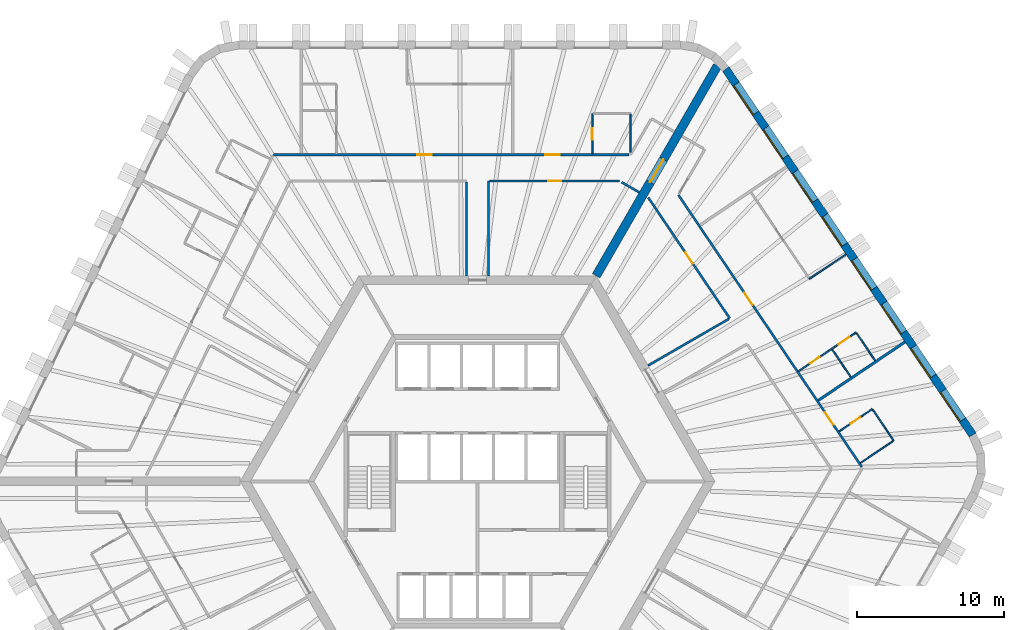
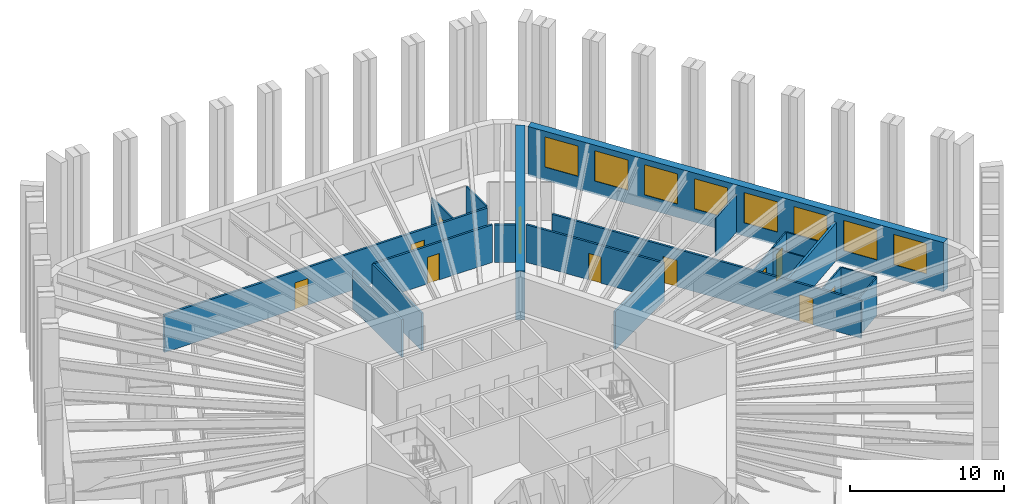
# One storey, part 9 of 12: 21 walls, 11 doors, 8 windows, 19 openings.
"""IFC4 building model written with IfcOpenShell, lengths in metres."""

from ifc_helpers import new_model, si_unit, direction, frame, frame_2d, origin, place, context, subcontext, project, spatial, polyline, rectangle, outline, extrude, material, layer, layer_set, type_object, element, fill, save


model = new_model("IFC4")

# Units and contexts
model_context = context("Model", 3, precision=1e-05, world=origin(), true_north=direction((0.0, 1.0)))
body_context = subcontext(model_context, "Body", "Model", "MODEL_VIEW")
ifc_project = project(units=[si_unit("LENGTHUNIT", "METRE"), si_unit("AREAUNIT", "SQUARE_METRE"), si_unit("VOLUMEUNIT", "CUBIC_METRE"), si_unit("PLANEANGLEUNIT", "RADIAN"), si_unit("MASSUNIT", "GRAM", prefix="KILO")], contexts=[model_context])

# Site, building, storey
site_placement = place(None, origin())
site = spatial("IfcSite", under=ifc_project, at=site_placement, CompositionType="ELEMENT")
building_placement = place(site_placement, origin())
building = spatial("IfcBuilding", under=site, at=building_placement, Name="Tarnside Tower", CompositionType="ELEMENT")
storey_placement = place(building_placement, frame((0.0, 0.0, 99.89990234375)))
storey = spatial("IfcBuildingStorey", under=building, at=storey_placement, Name="L22", CompositionType="ELEMENT", Elevation=99.89990234375)

# Wall, opening, door
ifc_material_1 = material(Name="Gypsum board partition on steel studs", Category="steel")
ifc_layer_1 = layer(ifc_material_1, 0.10009765625)
ifc_layer_set_1 = layer_set([ifc_layer_1], Name="Bathroom wall 100")
wall_type_1 = type_object("IfcWallType", Name="Bathroom wall 100", PredefinedType="PARTITIONING", material=ifc_layer_set_1)
wall_1_placement = place(storey_placement, frame((7.8212890625, 22.324951171875, 0.0), z_axis=(0.0, 0.0, 1.0), x_axis=(0.0, 1.0, 0.0)))
wall_1 = element("IfcWall", 1, at=wall_1_placement, inside=storey, type_object=wall_type_1, Name="Bathroom wall 07076", PredefinedType="PARTITIONING", context=body_context, shape_type="SweptSolid", body=[
    extrude(rectangle(XDim=2.72509765625, YDim=0.10009765625, at=frame_2d((1.362548828125, 0.0))), origin(), (0.0, 0.0, 1.0), 2.98779296875),
])
opening_1_placement = place(wall_1_placement, frame((0.925048828125, 0.0, 0.0)))
opening_1 = element("IfcOpeningElement", 2, at=opening_1_placement, cuts=wall_1, Name="Opening D-B1", PredefinedType="OPENING", context=body_context, shape_type="SweptSolid", body=[
    extrude(rectangle(XDim=0.800048828125, YDim=2.10009765625, at=frame_2d((0.39990234375, 1.050048828125))), frame((0.0, 0.06005859375, 0.0), z_axis=(0.0, -1.0, 0.0), x_axis=(1.0, 0.0, 0.0)), (0.0, 0.0, 1.0), 0.1201171875),
])
ifc_material_2 = material(Name="Timber door leaf", Category="wood")
door_type_1 = type_object("IfcDoorType", Name="Bathroom door 800", OperationType="NOTDEFINED", PredefinedType="DOOR", material=ifc_material_2)
door_1_placement = place(opening_1_placement, origin())
door_1 = element("IfcDoor", 3, at=door_1_placement, inside=storey, type_object=door_type_1, Name="Bathroom door 07002", OperationType="SINGLE_SWING_RIGHT", OverallHeight=2.10009765625, OverallWidth=0.800048828125, PredefinedType="DOOR", context=body_context, shape_type="SweptSolid", body=[
    extrude(rectangle(XDim=0.800048828125, YDim=2.10009765625, at=frame_2d((0.39990234375, 1.050048828125))), frame((0.0, 0.02490234375, 0.0), z_axis=(0.0, -1.0, 0.0), x_axis=(1.0, 0.0, 0.0)), (0.0, 0.0, 1.0), 0.050048828125),
])
fill(opening_1, door_1)

# Wall
wall_2_placement = place(storey_placement, frame((10.421142578125, 25.0, 0.0), z_axis=(0.0, 0.0, 1.0), x_axis=(0.0, -1.0, 0.0)))
element("IfcWall", 4, at=wall_2_placement, inside=storey, type_object=wall_type_1, Name="Bathroom wall 07078", PredefinedType="PARTITIONING", context=body_context, shape_type="SweptSolid", body=[
    extrude(rectangle(XDim=2.60009765625, YDim=0.10009765625, at=frame_2d((1.300048828125, 0.0))), origin(), (0.0, 0.0, 1.0), 2.98779296875),
])

# Wall, opening, door
wall_3_placement = place(storey_placement, frame((24.63330078125, 3.4033203125, 0.0), z_axis=(0.0, 0.0, 1.0), x_axis=(0.829047014003, 0.559178905694, 0.0)))
wall_3 = element("IfcWall", 5, at=wall_3_placement, inside=storey, type_object=wall_type_1, Name="Bathroom wall 07145", PredefinedType="PARTITIONING", context=body_context, shape_type="SweptSolid", body=[
    extrude(rectangle(XDim=2.724853515625, YDim=0.10009765625, at=frame_2d((1.3623046875, 0.0))), origin(), (0.0, 0.0, 1.0), 2.98779296875),
])
opening_2_placement = place(wall_3_placement, frame((0.925048828125, 0.0, 0.0)))
opening_2 = element("IfcOpeningElement", 6, at=opening_2_placement, cuts=wall_3, Name="Opening D-B1", PredefinedType="OPENING", context=body_context, shape_type="SweptSolid", body=[
    extrude(rectangle(XDim=0.800048828125, YDim=2.10009765625, at=frame_2d((0.39990234375, 1.050048828125))), frame((0.0, 0.06005859375, 0.0), z_axis=(0.0, -1.0, 0.0), x_axis=(1.0, 0.0, 0.0)), (0.0, 0.0, 1.0), 0.1201171875),
])
door_2_placement = place(opening_2_placement, origin())
door_2 = element("IfcDoor", 7, at=door_2_placement, inside=storey, type_object=door_type_1, Name="Bathroom door 07036", OperationType="SINGLE_SWING_RIGHT", OverallHeight=2.10009765625, OverallWidth=0.800048828125, PredefinedType="DOOR", context=body_context, shape_type="SweptSolid", body=[
    extrude(rectangle(XDim=0.800048828125, YDim=2.10009765625, at=frame_2d((0.39990234375, 1.050048828125))), frame((0.0, 0.02490234375, 0.0), z_axis=(0.0, -1.0, 0.0), x_axis=(1.0, 0.0, 0.0)), (0.0, 0.0, 1.0), 0.050048828125),
])
fill(opening_2, door_2)

# Walls
wall_4_placement = place(storey_placement, frame((26.92041015625, 4.885498046875, 0.0), z_axis=(0.0, 0.0, 1.0), x_axis=(0.559221247909, -0.829018453285, 0.0)))
element("IfcWall", 8, at=wall_4_placement, inside=storey, type_object=wall_type_1, Name="Bathroom wall 07146", PredefinedType="PARTITIONING", context=body_context, shape_type="SweptSolid", body=[
    extrude(rectangle(XDim=2.550048828125, YDim=0.10009765625, at=frame_2d((1.27490234375, 0.0))), origin(), (0.0, 0.0, 1.0), 2.98779296875),
])
wall_5_placement = place(storey_placement, frame((28.304931640625, 2.74365234375, 0.0), z_axis=(0.0, 0.0, 1.0), x_axis=(-0.82904753069, -0.559178139645, 0.0)))
element("IfcWall", 9, at=wall_5_placement, inside=storey, type_object=wall_type_1, Name="Bathroom wall 07147", PredefinedType="PARTITIONING", context=body_context, shape_type="SweptSolid", body=[
    extrude(rectangle(XDim=2.675048828125, YDim=0.10009765625, at=frame_2d((1.33740234375, 0.0))), origin(), (0.0, 0.0, 1.0), 2.98779296875),
])

# Wall, opening, door
wall_6_placement = place(storey_placement, frame((21.86962890625, 7.50048828125, 0.0), z_axis=(0.0, 0.0, 1.0), x_axis=(0.829005477618, 0.559240483226, 0.0)))
wall_6 = element("IfcWall", 10, at=wall_6_placement, inside=storey, type_object=wall_type_1, Name="Bathroom wall 07151", PredefinedType="PARTITIONING", context=body_context, shape_type="SweptSolid", body=[
    extrude(rectangle(XDim=2.72509765625, YDim=0.10009765625, at=frame_2d((1.362548828125, 0.0))), origin(), (0.0, 0.0, 1.0), 2.98779296875),
])
opening_3_placement = place(wall_6_placement, frame((0.925048828125, 0.0, 0.0)))
opening_3 = element("IfcOpeningElement", 11, at=opening_3_placement, cuts=wall_6, Name="Opening D-B1", PredefinedType="OPENING", context=body_context, shape_type="SweptSolid", body=[
    extrude(rectangle(XDim=0.800048828125, YDim=2.10009765625, at=frame_2d((0.39990234375, 1.050048828125))), frame((0.0, 0.06005859375, 0.0), z_axis=(0.0, -1.0, 0.0), x_axis=(1.0, 0.0, 0.0)), (0.0, 0.0, 1.0), 0.1201171875),
])
door_3_placement = place(opening_3_placement, origin())
door_3 = element("IfcDoor", 12, at=door_3_placement, inside=storey, type_object=door_type_1, Name="Bathroom door 07038", OperationType="SINGLE_SWING_RIGHT", OverallHeight=2.10009765625, OverallWidth=0.800048828125, PredefinedType="DOOR", context=body_context, shape_type="SweptSolid", body=[
    extrude(rectangle(XDim=0.800048828125, YDim=2.10009765625, at=frame_2d((0.39990234375, 1.050048828125))), frame((0.0, 0.02490234375, 0.0), z_axis=(0.0, -1.0, 0.0), x_axis=(1.0, 0.0, 0.0)), (0.0, 0.0, 1.0), 0.050048828125),
])
fill(opening_3, door_3)

# Wall
wall_7_placement = place(storey_placement, frame((25.42041015625, 7.109375, 0.0), z_axis=(0.0, 0.0, 1.0), x_axis=(-0.559179660023, 0.829046505219, 0.0)))
element("IfcWall", 13, at=wall_7_placement, inside=storey, type_object=wall_type_1, Name="Bathroom wall 07157", PredefinedType="PARTITIONING", context=body_context, shape_type="SweptSolid", body=[
    extrude(rectangle(XDim=2.259765625, YDim=0.10009765625, at=frame_2d((1.1298828125, 0.0))), origin(), (0.0, 0.0, 1.0), 2.98779296875),
])

# Wall, opening, door
ifc_material_3 = material(Name="Concrete C80/95", Category="concrete")
ifc_layer_2 = layer(ifc_material_3, 0.60009765625)
ifc_layer_set_2 = layer_set([ifc_layer_2], Name="Core wall Z1 600 C80/95")
wall_type_2 = type_object("IfcWallType", Name="Core wall Z1 600 C80/95", PredefinedType="SHEAR", material=ifc_layer_set_2)
wall_8_placement = place(storey_placement, frame((8.0830078125, 14.0, -0.14990234375), z_axis=(0.0, 0.0, 1.0), x_axis=(0.499997680643, 0.866026742862, 0.0)))
wall_8 = element("IfcWall", 14, at=wall_8_placement, inside=storey, type_object=wall_type_2, Name="L22 spine wall 1", PredefinedType="SHEAR", context=body_context, shape_type="SweptSolid", body=[
    extrude(rectangle(XDim=16.5087890625, YDim=0.60009765625, at=frame_2d((8.25439453125, 0.0))), origin(), (0.0, 0.0, 1.0), 3.89990234375),
])
opening_4_placement = place(wall_8_placement, frame((7.3544921875, 0.0, 0.14990234375)))
opening_4 = element("IfcOpeningElement", 15, at=opening_4_placement, cuts=wall_8, Name="Opening CD-SPN", PredefinedType="OPENING", context=body_context, shape_type="SweptSolid", body=[
    extrude(rectangle(XDim=1.800048828125, YDim=2.39990234375, at=frame_2d((0.89990234375, 1.199951171875))), frame((0.0, 0.31005859375, 0.0), z_axis=(0.0, -1.0, 0.0), x_axis=(1.0, 0.0, 0.0)), (0.0, 0.0, 1.0), 0.6201171875),
])
ifc_material_4 = material(Name="Steel fire door", Category="steel")
door_type_2 = type_object("IfcDoorType", Name="Spine passage double door FD60 1800x2400", OperationType="NOTDEFINED", PredefinedType="DOOR", material=ifc_material_4)
door_4_placement = place(opening_4_placement, origin())
door_4 = element("IfcDoor", 16, at=door_4_placement, inside=storey, type_object=door_type_2, Name="L22 spine passage door 1", OperationType="DOUBLE_DOOR_SINGLE_SWING", OverallHeight=2.39990234375, OverallWidth=1.800048828125, PredefinedType="DOOR", context=body_context, shape_type="SweptSolid", body=[
    extrude(rectangle(XDim=1.800048828125, YDim=2.39990234375, at=frame_2d((0.89990234375, 1.199951171875))), frame((0.0, 0.02490234375, 0.0), z_axis=(0.0, -1.0, 0.0), x_axis=(1.0, 0.0, 0.0)), (0.0, 0.0, 1.0), 0.050048828125),
])
fill(opening_4, door_4)

# Wall, openings, doors
ifc_layer_3 = layer(ifc_material_1, 0.14990234375)
ifc_layer_set_3 = layer_set([ifc_layer_3], Name="Corridor wall 150 EI 60")
wall_type_3 = type_object("IfcWallType", Name="Corridor wall 150 EI 60", PredefinedType="PARTITIONING", material=ifc_layer_set_3)
wall_9_placement = place(storey_placement, frame((10.33447265625, 22.25, 0.0), z_axis=(0.0, 0.0, 1.0), x_axis=(-1.0, 0.0, 0.0)))
wall_9 = element("IfcWall", 17, at=wall_9_placement, inside=storey, type_object=wall_type_3, Name="Corridor wall 07001", PredefinedType="PARTITIONING", context=body_context, shape_type="SweptSolid", body=[
    extrude(rectangle(XDim=24.23779296875, YDim=0.14990234375, at=frame_2d((12.118896484375, 0.0))), origin(), (0.0, 0.0, 1.0), 2.98779296875),
])
opening_5_placement = place(wall_9_placement, frame((4.7294921875, 0.0, 0.0)))
opening_5 = element("IfcOpeningElement", 18, at=opening_5_placement, cuts=wall_9, Name="Opening D-E1", PredefinedType="OPENING", context=body_context, shape_type="SweptSolid", body=[
    extrude(rectangle(XDim=1.0, YDim=2.10009765625, at=frame_2d((0.5, 1.050048828125))), frame((0.0, 0.0849609375, 0.0), z_axis=(0.0, -1.0, 0.0), x_axis=(1.0, 0.0, 0.0)), (0.0, 0.0, 1.0), 0.169921875),
])
opening_6_placement = place(wall_9_placement, frame((13.445556640625, 0.0, 0.0)))
opening_6 = element("IfcOpeningElement", 19, at=opening_6_placement, cuts=wall_9, Name="Opening D-E1", PredefinedType="OPENING", context=body_context, shape_type="SweptSolid", body=[
    extrude(rectangle(XDim=1.0, YDim=2.10009765625, at=frame_2d((0.5, 1.050048828125))), frame((0.0, 0.0849609375, 0.0), z_axis=(0.0, -1.0, 0.0), x_axis=(1.0, 0.0, 0.0)), (0.0, 0.0, 1.0), 0.169921875),
])
door_type_3 = type_object("IfcDoorType", Name="Unit entrance door 1000 FD30S", OperationType="NOTDEFINED", PredefinedType="DOOR", material=ifc_material_2)
door_5_placement = place(opening_5_placement, origin())
door_5 = element("IfcDoor", 20, at=door_5_placement, inside=storey, type_object=door_type_3, Name="Unit door 07001", OperationType="SINGLE_SWING_LEFT", OverallHeight=2.10009765625, OverallWidth=1.0, PredefinedType="DOOR", context=body_context, shape_type="SweptSolid", body=[
    extrude(rectangle(XDim=1.0, YDim=2.10009765625, at=frame_2d((0.5, 1.050048828125))), frame((0.0, 0.02490234375, 0.0), z_axis=(0.0, -1.0, 0.0), x_axis=(1.0, 0.0, 0.0)), (0.0, 0.0, 1.0), 0.050048828125),
])
fill(opening_5, door_5)
door_6_placement = place(opening_6_placement, origin())
door_6 = element("IfcDoor", 21, at=door_6_placement, inside=storey, type_object=door_type_3, Name="Unit door 07003", OperationType="SINGLE_SWING_LEFT", OverallHeight=2.10009765625, OverallWidth=1.0, PredefinedType="DOOR", context=body_context, shape_type="SweptSolid", body=[
    extrude(rectangle(XDim=1.0, YDim=2.10009765625, at=frame_2d((0.5, 1.050048828125))), frame((0.0, 0.02490234375, 0.0), z_axis=(0.0, -1.0, 0.0), x_axis=(1.0, 0.0, 0.0)), (0.0, 0.0, 1.0), 0.050048828125),
])
fill(opening_6, door_6)

# Walls
wall_10_placement = place(storey_placement, frame((-0.75, 20.375, 0.0), z_axis=(0.0, 0.0, 1.0), x_axis=(0.0, -1.0, 0.0)))
element("IfcWall", 22, at=wall_10_placement, inside=storey, type_object=wall_type_3, Name="Corridor wall 07021", PredefinedType="PARTITIONING", context=body_context, shape_type="SweptSolid", body=[
    extrude(rectangle(XDim=6.375, YDim=0.14990234375, at=frame_2d((3.1875, 0.0))), origin(), (0.0, 0.0, 1.0), 2.98779296875),
])
wall_11_placement = place(storey_placement, frame((0.75, 14.0, 0.0), z_axis=(0.0, 0.0, 1.0), x_axis=(0.0, 1.0, 0.0)))
element("IfcWall", 23, at=wall_11_placement, inside=storey, type_object=wall_type_3, Name="Corridor wall 07022", PredefinedType="PARTITIONING", context=body_context, shape_type="SweptSolid", body=[
    extrude(rectangle(XDim=6.449951171875, YDim=0.14990234375, at=frame_2d((3.22509765625, 0.0))), origin(), (0.0, 0.0, 1.0), 2.98779296875),
])

# Wall, opening, door
wall_12_placement = place(storey_placement, frame((0.824951171875, 20.449951171875, 0.0), z_axis=(0.0, 0.0, 1.0), x_axis=(1.0, 0.0, 0.0)))
wall_12 = element("IfcWall", 24, at=wall_12_placement, inside=storey, type_object=wall_type_3, Name="Corridor wall 07023", PredefinedType="PARTITIONING", context=body_context, shape_type="SweptSolid", body=[
    extrude(rectangle(XDim=8.860107421875, YDim=0.14990234375, at=frame_2d((4.43017578125, 0.0))), origin(), (0.0, 0.0, 1.0), 2.98779296875),
])
opening_7_placement = place(wall_12_placement, frame((3.97998046875, 0.0, 0.0)))
opening_7 = element("IfcOpeningElement", 25, at=opening_7_placement, cuts=wall_12, Name="Opening D-S1", PredefinedType="OPENING", context=body_context, shape_type="SweptSolid", body=[
    extrude(rectangle(XDim=0.89990234375, YDim=2.10009765625, at=frame_2d((0.449951171875, 1.050048828125))), frame((0.0, 0.0849609375, 0.0), z_axis=(0.0, -1.0, 0.0), x_axis=(1.0, 0.0, 0.0)), (0.0, 0.0, 1.0), 0.169921875),
])
door_type_4 = type_object("IfcDoorType", Name="Service room door 900 FD30S", OperationType="NOTDEFINED", PredefinedType="DOOR", material=ifc_material_2)
door_7_placement = place(opening_7_placement, origin())
door_7 = element("IfcDoor", 26, at=door_7_placement, inside=storey, type_object=door_type_4, Name="Service door 07043", OperationType="SINGLE_SWING_LEFT", OverallHeight=2.10009765625, OverallWidth=0.89990234375, PredefinedType="DOOR", context=body_context, shape_type="SweptSolid", body=[
    extrude(rectangle(XDim=0.89990234375, YDim=2.10009765625, at=frame_2d((0.449951171875, 1.050048828125))), frame((0.0, 0.02490234375, 0.0), z_axis=(0.0, -1.0, 0.0), x_axis=(1.0, 0.0, 0.0)), (0.0, 0.0, 1.0), 0.050048828125),
])
fill(opening_7, door_7)

# Wall
wall_13_placement = place(storey_placement, frame((9.81494140625, 20.375, 0.0), z_axis=(0.0, 0.0, 1.0), x_axis=(0.86600392025, -0.500037208726, 0.0)))
element("IfcWall", 27, at=wall_13_placement, inside=storey, type_object=wall_type_3, Name="Corridor wall 07024", PredefinedType="PARTITIONING", context=body_context, shape_type="SweptSolid", body=[
    extrude(rectangle(XDim=1.3876953125, YDim=0.14990234375, at=frame_2d((0.69384765625, 0.0))), origin(), (0.0, 0.0, 1.0), 2.98779296875),
])

# Wall, openings, doors
wall_14_placement = place(storey_placement, frame((26.174072265625, 0.98486328125, 0.0), z_axis=(0.0, 0.0, 1.0), x_axis=(-0.559192163771, 0.829038071488, 0.0)))
wall_14 = element("IfcWall", 28, at=wall_14_placement, inside=storey, type_object=wall_type_3, Name="Corridor wall 07058", PredefinedType="PARTITIONING", context=body_context, shape_type="SweptSolid", body=[
    extrude(rectangle(XDim=22.33544921875, YDim=0.14990234375, at=frame_2d((11.167724609375, 0.0))), origin(), (0.0, 0.0, 1.0), 2.98779296875),
])
opening_8_placement = place(wall_14_placement, frame((3.462646484375, 0.0, 0.0)))
opening_8 = element("IfcOpeningElement", 29, at=opening_8_placement, cuts=wall_14, Name="Opening D-E1", PredefinedType="OPENING", context=body_context, shape_type="SweptSolid", body=[
    extrude(rectangle(XDim=1.0, YDim=2.10009765625, at=frame_2d((0.5, 1.050048828125))), frame((0.0, 0.0849609375, 0.0), z_axis=(0.0, -1.0, 0.0), x_axis=(1.0, 0.0, 0.0)), (0.0, 0.0, 1.0), 0.169921875),
])
opening_9_placement = place(wall_14_placement, frame((13.308837890625, 0.0, 0.0)))
opening_9 = element("IfcOpeningElement", 30, at=opening_9_placement, cuts=wall_14, Name="Opening D-E1", PredefinedType="OPENING", context=body_context, shape_type="SweptSolid", body=[
    extrude(rectangle(XDim=1.0, YDim=2.10009765625, at=frame_2d((0.5, 1.050048828125))), frame((0.0, 0.0849609375, 0.0), z_axis=(0.0, -1.0, 0.0), x_axis=(1.0, 0.0, 0.0)), (0.0, 0.0, 1.0), 0.169921875),
])
door_8_placement = place(opening_8_placement, origin())
door_8 = element("IfcDoor", 31, at=door_8_placement, inside=storey, type_object=door_type_3, Name="Unit door 07035", OperationType="SINGLE_SWING_LEFT", OverallHeight=2.10009765625, OverallWidth=1.0, PredefinedType="DOOR", context=body_context, shape_type="SweptSolid", body=[
    extrude(rectangle(XDim=1.0, YDim=2.10009765625, at=frame_2d((0.5, 1.050048828125))), frame((0.0, 0.02490234375, 0.0), z_axis=(0.0, -1.0, 0.0), x_axis=(1.0, 0.0, 0.0)), (0.0, 0.0, 1.0), 0.050048828125),
])
fill(opening_8, door_8)
door_9_placement = place(opening_9_placement, origin())
door_9 = element("IfcDoor", 32, at=door_9_placement, inside=storey, type_object=door_type_3, Name="Unit door 07037", OperationType="SINGLE_SWING_RIGHT", OverallHeight=2.10009765625, OverallWidth=1.0, PredefinedType="DOOR", context=body_context, shape_type="SweptSolid", body=[
    extrude(rectangle(XDim=1.0, YDim=2.10009765625, at=frame_2d((0.5, 1.050048828125))), frame((0.0, 0.02490234375, 0.0), z_axis=(0.0, -1.0, 0.0), x_axis=(1.0, 0.0, 0.0)), (0.0, 0.0, 1.0), 0.050048828125),
])
fill(opening_9, door_9)

# Wall, opening, door
wall_15_placement = place(storey_placement, frame((11.631591796875, 19.326171875, 0.0), z_axis=(0.0, 0.0, 1.0), x_axis=(0.559193968377, -0.829036854266, 0.0)))
wall_15 = element("IfcWall", 33, at=wall_15_placement, inside=storey, type_object=wall_type_3, Name="Corridor wall 07074", PredefinedType="PARTITIONING", context=body_context, shape_type="SweptSolid", body=[
    extrude(rectangle(XDim=9.92431640625, YDim=0.14990234375, at=frame_2d((4.962158203125, 0.0))), origin(), (0.0, 0.0, 1.0), 2.98779296875),
])
opening_10_placement = place(wall_15_placement, frame((4.51220703125, 0.0, 0.0)))
opening_10 = element("IfcOpeningElement", 34, at=opening_10_placement, cuts=wall_15, Name="Opening D-S1", PredefinedType="OPENING", context=body_context, shape_type="SweptSolid", body=[
    extrude(rectangle(XDim=0.89990234375, YDim=2.10009765625, at=frame_2d((0.449951171875, 1.050048828125))), frame((0.0, 0.0849609375, 0.0), z_axis=(0.0, -1.0, 0.0), x_axis=(1.0, 0.0, 0.0)), (0.0, 0.0, 1.0), 0.169921875),
])
door_10_placement = place(opening_10_placement, origin())
door_10 = element("IfcDoor", 35, at=door_10_placement, inside=storey, type_object=door_type_4, Name="Service door 07050", OperationType="SINGLE_SWING_LEFT", OverallHeight=2.10009765625, OverallWidth=0.89990234375, PredefinedType="DOOR", context=body_context, shape_type="SweptSolid", body=[
    extrude(rectangle(XDim=0.89990234375, YDim=2.10009765625, at=frame_2d((0.449951171875, 1.050048828125))), frame((0.0, 0.02490234375, 0.0), z_axis=(0.0, -1.0, 0.0), x_axis=(1.0, 0.0, 0.0)), (0.0, 0.0, 1.0), 0.050048828125),
])
fill(opening_10, door_10)

# Walls
wall_16_placement = place(storey_placement, frame((17.115966796875, 11.06103515625, 0.0), z_axis=(0.0, 0.0, 1.0), x_axis=(-0.866021127751, -0.500007406234, 0.0)))
element("IfcWall", 36, at=wall_16_placement, inside=storey, type_object=wall_type_3, Name="Corridor wall 07075", PredefinedType="PARTITIONING", context=body_context, shape_type="SweptSolid", body=[
    extrude(rectangle(XDim=6.353515625, YDim=0.14990234375, at=frame_2d((3.1767578125, 0.0))), origin(), (0.0, 0.0, 1.0), 2.98779296875),
])
ifc_layer_4 = layer(ifc_material_1, 0.179931640625)
ifc_layer_set_4 = layer_set([ifc_layer_4], Name="Demising wall 180 EI 60")
wall_type_4 = type_object("IfcWallType", Name="Demising wall 180 EI 60", PredefinedType="PARTITIONING", material=ifc_layer_set_4)
wall_17_placement = place(storey_placement, frame((29.11865234375, 9.4951171875, 0.0), z_axis=(0.0, 0.0, 1.0), x_axis=(-0.829049225145, -0.559175627408, 0.0)))
element("IfcWall", 37, at=wall_17_placement, inside=storey, type_object=wall_type_4, Name="Demising wall 07148", PredefinedType="PARTITIONING", context=body_context, shape_type="SweptSolid", body=[
    extrude(rectangle(XDim=7.125, YDim=0.179931640625, at=frame_2d((3.5625, 0.0))), origin(), (0.0, 0.0, 1.0), 2.98779296875),
])

# Wall, opening, door
ifc_layer_5 = layer(ifc_material_1, 0.10009765625)
ifc_layer_set_5 = layer_set([ifc_layer_5], Name="Partition 100")
wall_type_5 = type_object("IfcWallType", Name="Partition 100", PredefinedType="PARTITIONING", material=ifc_layer_set_5)
wall_18_placement = place(storey_placement, frame((24.170166015625, 9.05224609375, 0.0), z_axis=(0.0, 0.0, 1.0), x_axis=(0.829014089772, 0.559227716552, 0.0)))
wall_18 = element("IfcWall", 38, at=wall_18_placement, inside=storey, type_object=wall_type_5, Name="Partition wall 07152", PredefinedType="PARTITIONING", context=body_context, shape_type="SweptSolid", body=[
    extrude(rectangle(XDim=1.9501953125, YDim=0.10009765625, at=frame_2d((0.97509765625, 0.0))), origin(), (0.0, 0.0, 1.0), 2.98779296875),
])
opening_11_placement = place(wall_18_placement, frame((0.5, 0.0, 0.0)))
opening_11 = element("IfcOpeningElement", 39, at=opening_11_placement, cuts=wall_18, Name="Opening D-I1", PredefinedType="OPENING", context=body_context, shape_type="SweptSolid", body=[
    extrude(rectangle(XDim=0.89990234375, YDim=2.10009765625, at=frame_2d((0.449951171875, 1.050048828125))), frame((0.0, 0.06005859375, 0.0), z_axis=(0.0, -1.0, 0.0), x_axis=(1.0, 0.0, 0.0)), (0.0, 0.0, 1.0), 0.1201171875),
])
door_type_5 = type_object("IfcDoorType", Name="Internal door 900", OperationType="NOTDEFINED", PredefinedType="DOOR", material=ifc_material_2)
door_11_placement = place(opening_11_placement, origin())
door_11 = element("IfcDoor", 40, at=door_11_placement, inside=storey, type_object=door_type_5, Name="Internal door 07039", OperationType="SINGLE_SWING_LEFT", OverallHeight=2.10009765625, OverallWidth=0.89990234375, PredefinedType="DOOR", context=body_context, shape_type="SweptSolid", body=[
    extrude(rectangle(XDim=0.89990234375, YDim=2.10009765625, at=frame_2d((0.449951171875, 1.050048828125))), frame((0.0, 0.02490234375, 0.0), z_axis=(0.0, -1.0, 0.0), x_axis=(1.0, 0.0, 0.0)), (0.0, 0.0, 1.0), 0.050048828125),
])
fill(opening_11, door_11)

# Walls
wall_19_placement = place(storey_placement, frame((25.814697265625, 10.101318359375, 0.0), z_axis=(0.0, 0.0, 1.0), x_axis=(0.559253906445, -0.828996422264, 0.0)))
element("IfcWall", 41, at=wall_19_placement, inside=storey, type_object=wall_type_5, Name="Partition wall 07153", PredefinedType="PARTITIONING", context=body_context, shape_type="SweptSolid", body=[
    extrude(rectangle(XDim=2.260009765625, YDim=0.10009765625, at=frame_2d((1.1298828125, 0.0))), origin(), (0.0, 0.0, 1.0), 2.98779296875),
])
wall_20_placement = place(storey_placement, frame((25.09228515625, 15.464111328125, 0.0), z_axis=(0.0, 0.0, 1.0), x_axis=(-0.829045807101, -0.559180695061, 0.0)))
element("IfcWall", 42, at=wall_20_placement, inside=storey, type_object=wall_type_5, Name="Partition wall 07154", PredefinedType="PARTITIONING", context=body_context, shape_type="SweptSolid", body=[
    extrude(rectangle(XDim=3.0, YDim=0.10009765625, at=frame_2d((1.5, 0.0))), origin(), (0.0, 0.0, 1.0), 2.98779296875),
])

# Wall, openings, windows
ifc_material_5 = material(Name="Facing brick", Category="masonry")
ifc_layer_6 = layer(ifc_material_5, 0.10205078125)
ifc_material_6 = material(Name="Concrete C60/75 precast", Category="concrete")
ifc_layer_7 = layer(ifc_material_6, 0.347900390625)
ifc_material_7 = material(Name="Mineral wool insulation")
ifc_layer_8 = layer(ifc_material_7, 0.10009765625)
ifc_layer_set_6 = layer_set([ifc_layer_6, ifc_layer_7, ifc_layer_8], Name="Tube wall 550 brick faced")
wall_type_6 = type_object("IfcWallType", Name="Tube wall 550 brick faced", PredefinedType="SOLIDWALL", material=ifc_layer_set_6)
wall_21_placement = place(storey_placement, frame((33.72802734375, 3.153076171875, -0.14990234375), z_axis=(0.0, 0.0, 1.0), x_axis=(-0.559192411416, 0.82903790445, 0.0)))
wall_21 = element("IfcWall", 43, at=wall_21_placement, inside=storey, type_object=wall_type_6, Name="Tube wall L22 F6 flush 20", PredefinedType="SOLIDWALL", context=body_context, shape_type="SweptSolid", body=[
    extrude(outline(polyline([(-0.025634765625, -0.27490234375), (30.09326171875, -0.27490234375), (30.04833984375, 0.27490234375), (0.025634765625, 0.27490234375), (-0.025634765625, -0.27490234375)])), origin(), (0.0, 0.0, 1.0), 3.89990234375),
])
opening_12_placement = place(wall_21_placement, frame((1.235595703125, 0.0, 1.050048828125)))
opening_12 = element("IfcOpeningElement", 44, at=opening_12_placement, cuts=wall_21, Name="Opening WH", PredefinedType="OPENING", context=body_context, shape_type="SweptSolid", body=[
    extrude(rectangle(XDim=2.39990234375, YDim=2.39990234375, at=frame_2d((1.199951171875, 1.199951171875))), frame((0.0, 0.28515625, 0.0), z_axis=(0.0, -1.0, 0.0), x_axis=(1.0, 0.0, 0.0)), (0.0, 0.0, 1.0), 0.570068359375),
])
opening_13_placement = place(wall_21_placement, frame((4.83544921875, 0.0, 1.050048828125)))
opening_13 = element("IfcOpeningElement", 45, at=opening_13_placement, cuts=wall_21, Name="Opening WH", PredefinedType="OPENING", context=body_context, shape_type="SweptSolid", body=[
    extrude(rectangle(XDim=2.39990234375, YDim=2.39990234375, at=frame_2d((1.199951171875, 1.199951171875))), frame((0.0, 0.28515625, 0.0), z_axis=(0.0, -1.0, 0.0), x_axis=(1.0, 0.0, 0.0)), (0.0, 0.0, 1.0), 0.570068359375),
])
opening_14_placement = place(wall_21_placement, frame((8.435546875, 0.0, 1.050048828125)))
opening_14 = element("IfcOpeningElement", 46, at=opening_14_placement, cuts=wall_21, Name="Opening WH", PredefinedType="OPENING", context=body_context, shape_type="SweptSolid", body=[
    extrude(rectangle(XDim=2.39990234375, YDim=2.39990234375, at=frame_2d((1.199951171875, 1.199951171875))), frame((0.0, 0.28515625, 0.0), z_axis=(0.0, -1.0, 0.0), x_axis=(1.0, 0.0, 0.0)), (0.0, 0.0, 1.0), 0.570068359375),
])
opening_15_placement = place(wall_21_placement, frame((12.035400390625, 0.0, 1.050048828125)))
opening_15 = element("IfcOpeningElement", 47, at=opening_15_placement, cuts=wall_21, Name="Opening WH", PredefinedType="OPENING", context=body_context, shape_type="SweptSolid", body=[
    extrude(rectangle(XDim=2.39990234375, YDim=2.39990234375, at=frame_2d((1.199951171875, 1.199951171875))), frame((0.0, 0.28515625, 0.0), z_axis=(0.0, -1.0, 0.0), x_axis=(1.0, 0.0, 0.0)), (0.0, 0.0, 1.0), 0.570068359375),
])
opening_16_placement = place(wall_21_placement, frame((15.635498046875, 0.0, 1.050048828125)))
opening_16 = element("IfcOpeningElement", 48, at=opening_16_placement, cuts=wall_21, Name="Opening WH", PredefinedType="OPENING", context=body_context, shape_type="SweptSolid", body=[
    extrude(rectangle(XDim=2.39990234375, YDim=2.39990234375, at=frame_2d((1.199951171875, 1.199951171875))), frame((0.0, 0.28515625, 0.0), z_axis=(0.0, -1.0, 0.0), x_axis=(1.0, 0.0, 0.0)), (0.0, 0.0, 1.0), 0.570068359375),
])
opening_17_placement = place(wall_21_placement, frame((19.235595703125, 0.0, 1.050048828125)))
opening_17 = element("IfcOpeningElement", 49, at=opening_17_placement, cuts=wall_21, Name="Opening WH", PredefinedType="OPENING", context=body_context, shape_type="SweptSolid", body=[
    extrude(rectangle(XDim=2.39990234375, YDim=2.39990234375, at=frame_2d((1.199951171875, 1.199951171875))), frame((0.0, 0.28515625, 0.0), z_axis=(0.0, -1.0, 0.0), x_axis=(1.0, 0.0, 0.0)), (0.0, 0.0, 1.0), 0.570068359375),
])
opening_18_placement = place(wall_21_placement, frame((22.83544921875, 0.0, 1.050048828125)))
opening_18 = element("IfcOpeningElement", 50, at=opening_18_placement, cuts=wall_21, Name="Opening WH", PredefinedType="OPENING", context=body_context, shape_type="SweptSolid", body=[
    extrude(rectangle(XDim=2.39990234375, YDim=2.39990234375, at=frame_2d((1.199951171875, 1.199951171875))), frame((0.0, 0.28515625, 0.0), z_axis=(0.0, -1.0, 0.0), x_axis=(1.0, 0.0, 0.0)), (0.0, 0.0, 1.0), 0.570068359375),
])
opening_19_placement = place(wall_21_placement, frame((26.435546875, 0.0, 1.050048828125)))
opening_19 = element("IfcOpeningElement", 51, at=opening_19_placement, cuts=wall_21, Name="Opening WH", PredefinedType="OPENING", context=body_context, shape_type="SweptSolid", body=[
    extrude(rectangle(XDim=2.39990234375, YDim=2.39990234375, at=frame_2d((1.199951171875, 1.199951171875))), frame((0.0, 0.28515625, 0.0), z_axis=(0.0, -1.0, 0.0), x_axis=(1.0, 0.0, 0.0)), (0.0, 0.0, 1.0), 0.570068359375),
])
ifc_material_8 = material(Name="Aluminium-framed double glazing", Category="aluminium")
window_type = type_object("IfcWindowType", Name="Hotel window 2400 x 2400", PartitioningType="DOUBLE_PANEL_VERTICAL", PredefinedType="WINDOW", material=ifc_material_8)
window_1_placement = place(opening_12_placement, frame((0.0, 0.205078125, 0.0)))
window_1 = element("IfcWindow", 52, at=window_1_placement, inside=storey, type_object=window_type, Name="E.WN.L22.F6.00", OverallHeight=2.39990234375, OverallWidth=2.39990234375, PartitioningType="DOUBLE_PANEL_VERTICAL", PredefinedType="WINDOW", context=body_context, shape_type="SweptSolid", body=[
    extrude(rectangle(XDim=2.39990234375, YDim=2.39990234375, at=frame_2d((1.199951171875, 1.199951171875))), frame((0.0, 0.030029296875, 0.0), z_axis=(0.0, -1.0, 0.0), x_axis=(1.0, 0.0, 0.0)), (0.0, 0.0, 1.0), 0.06005859375),
])
fill(opening_12, window_1)
window_2_placement = place(opening_13_placement, frame((0.0, 0.205078125, 0.0)))
window_2 = element("IfcWindow", 53, at=window_2_placement, inside=storey, type_object=window_type, Name="E.WN.L22.F6.01", OverallHeight=2.39990234375, OverallWidth=2.39990234375, PartitioningType="DOUBLE_PANEL_VERTICAL", PredefinedType="WINDOW", context=body_context, shape_type="SweptSolid", body=[
    extrude(rectangle(XDim=2.39990234375, YDim=2.39990234375, at=frame_2d((1.199951171875, 1.199951171875))), frame((0.0, 0.030029296875, 0.0), z_axis=(0.0, -1.0, 0.0), x_axis=(1.0, 0.0, 0.0)), (0.0, 0.0, 1.0), 0.06005859375),
])
fill(opening_13, window_2)
window_3_placement = place(opening_14_placement, frame((0.0, 0.205078125, 0.0)))
window_3 = element("IfcWindow", 54, at=window_3_placement, inside=storey, type_object=window_type, Name="E.WN.L22.F6.02", OverallHeight=2.39990234375, OverallWidth=2.39990234375, PartitioningType="DOUBLE_PANEL_VERTICAL", PredefinedType="WINDOW", context=body_context, shape_type="SweptSolid", body=[
    extrude(rectangle(XDim=2.39990234375, YDim=2.39990234375, at=frame_2d((1.199951171875, 1.199951171875))), frame((0.0, 0.030029296875, 0.0), z_axis=(0.0, -1.0, 0.0), x_axis=(1.0, 0.0, 0.0)), (0.0, 0.0, 1.0), 0.06005859375),
])
fill(opening_14, window_3)
window_4_placement = place(opening_15_placement, frame((0.0, 0.205078125, 0.0)))
window_4 = element("IfcWindow", 55, at=window_4_placement, inside=storey, type_object=window_type, Name="E.WN.L22.F6.03", OverallHeight=2.39990234375, OverallWidth=2.39990234375, PartitioningType="DOUBLE_PANEL_VERTICAL", PredefinedType="WINDOW", context=body_context, shape_type="SweptSolid", body=[
    extrude(rectangle(XDim=2.39990234375, YDim=2.39990234375, at=frame_2d((1.199951171875, 1.199951171875))), frame((0.0, 0.030029296875, 0.0), z_axis=(0.0, -1.0, 0.0), x_axis=(1.0, 0.0, 0.0)), (0.0, 0.0, 1.0), 0.06005859375),
])
fill(opening_15, window_4)
window_5_placement = place(opening_16_placement, frame((0.0, 0.205078125, 0.0)))
window_5 = element("IfcWindow", 56, at=window_5_placement, inside=storey, type_object=window_type, Name="E.WN.L22.F6.04", OverallHeight=2.39990234375, OverallWidth=2.39990234375, PartitioningType="DOUBLE_PANEL_VERTICAL", PredefinedType="WINDOW", context=body_context, shape_type="SweptSolid", body=[
    extrude(rectangle(XDim=2.39990234375, YDim=2.39990234375, at=frame_2d((1.199951171875, 1.199951171875))), frame((0.0, 0.030029296875, 0.0), z_axis=(0.0, -1.0, 0.0), x_axis=(1.0, 0.0, 0.0)), (0.0, 0.0, 1.0), 0.06005859375),
])
fill(opening_16, window_5)
window_6_placement = place(opening_17_placement, frame((0.0, 0.205078125, 0.0)))
window_6 = element("IfcWindow", 57, at=window_6_placement, inside=storey, type_object=window_type, Name="E.WN.L22.F6.05", OverallHeight=2.39990234375, OverallWidth=2.39990234375, PartitioningType="DOUBLE_PANEL_VERTICAL", PredefinedType="WINDOW", context=body_context, shape_type="SweptSolid", body=[
    extrude(rectangle(XDim=2.39990234375, YDim=2.39990234375, at=frame_2d((1.199951171875, 1.199951171875))), frame((0.0, 0.030029296875, 0.0), z_axis=(0.0, -1.0, 0.0), x_axis=(1.0, 0.0, 0.0)), (0.0, 0.0, 1.0), 0.06005859375),
])
fill(opening_17, window_6)
window_7_placement = place(opening_18_placement, frame((0.0, 0.205078125, 0.0)))
window_7 = element("IfcWindow", 58, at=window_7_placement, inside=storey, type_object=window_type, Name="E.WN.L22.F6.06", OverallHeight=2.39990234375, OverallWidth=2.39990234375, PartitioningType="DOUBLE_PANEL_VERTICAL", PredefinedType="WINDOW", context=body_context, shape_type="SweptSolid", body=[
    extrude(rectangle(XDim=2.39990234375, YDim=2.39990234375, at=frame_2d((1.199951171875, 1.199951171875))), frame((0.0, 0.030029296875, 0.0), z_axis=(0.0, -1.0, 0.0), x_axis=(1.0, 0.0, 0.0)), (0.0, 0.0, 1.0), 0.06005859375),
])
fill(opening_18, window_7)
window_8_placement = place(opening_19_placement, frame((0.0, 0.205078125, 0.0)))
window_8 = element("IfcWindow", 59, at=window_8_placement, inside=storey, type_object=window_type, Name="E.WN.L22.F6.07", OverallHeight=2.39990234375, OverallWidth=2.39990234375, PartitioningType="DOUBLE_PANEL_VERTICAL", PredefinedType="WINDOW", context=body_context, shape_type="SweptSolid", body=[
    extrude(rectangle(XDim=2.39990234375, YDim=2.39990234375, at=frame_2d((1.199951171875, 1.199951171875))), frame((0.0, 0.030029296875, 0.0), z_axis=(0.0, -1.0, 0.0), x_axis=(1.0, 0.0, 0.0)), (0.0, 0.0, 1.0), 0.06005859375),
])
fill(opening_19, window_8)

save(model, "model.ifc")
